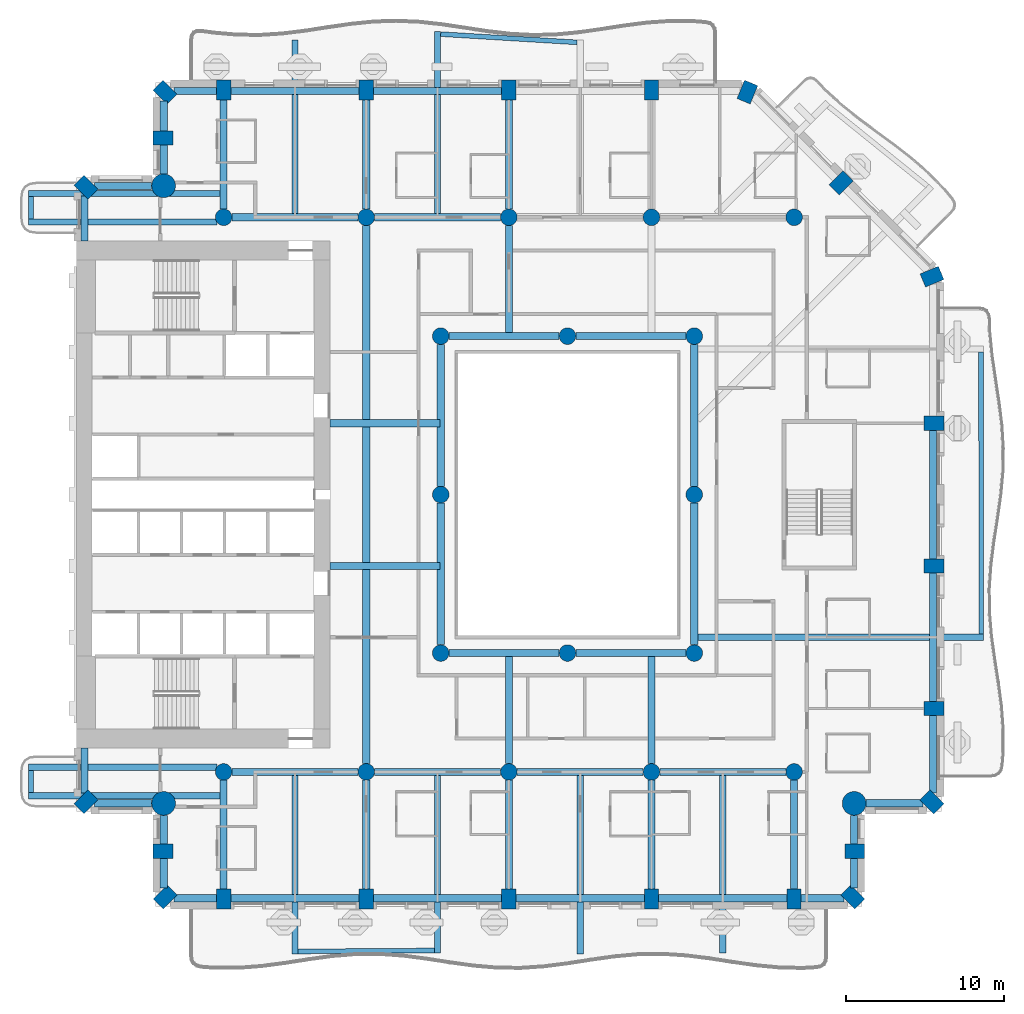
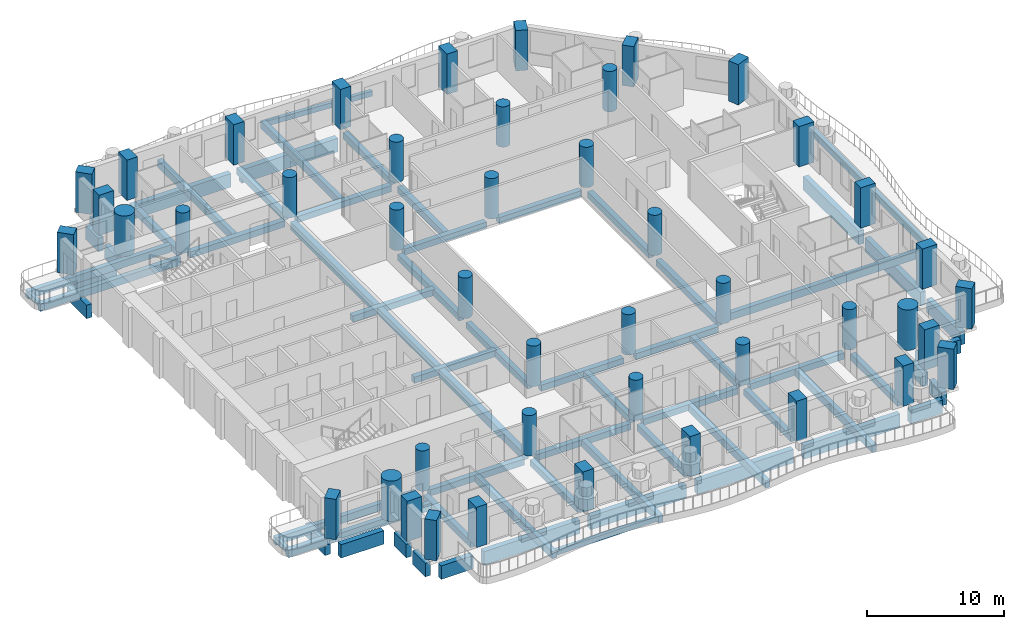
# One storey, part 1 of 20: 69 beams, 45 columns.
"""IFC4 building model written with IfcOpenShell, lengths in metres."""

from ifc_helpers import new_model, si_unit, direction, frame, origin, origin_2d, place, context, subcontext, project, spatial, rectangle, circle, extrude, material, material_profile, profile_set, type_object, element, save


model = new_model("IFC4")

# Units and contexts
model_context = context("Model", 3, precision=1e-05, world=origin(), true_north=direction((0.0, 1.0)))
body_context = subcontext(model_context, "Body", "Model", "MODEL_VIEW")
ifc_project = project(units=[si_unit("LENGTHUNIT", "METRE"), si_unit("AREAUNIT", "SQUARE_METRE"), si_unit("VOLUMEUNIT", "CUBIC_METRE"), si_unit("PLANEANGLEUNIT", "RADIAN"), si_unit("MASSUNIT", "GRAM", prefix="KILO")], contexts=[model_context])

# Site, building, storey
site_placement = place(None, origin())
site = spatial("IfcSite", under=ifc_project, at=site_placement, CompositionType="ELEMENT")
building_placement = place(site_placement, origin())
building = spatial("IfcBuilding", under=site, at=building_placement, Name="Cypress Arch Tower", CompositionType="ELEMENT")
storey_placement = place(building_placement, frame((0.0, 0.0, 116.699951171875)))
storey = spatial("IfcBuildingStorey", under=building, at=storey_placement, Name="L24", CompositionType="ELEMENT", Elevation=116.699951171875)

# Columns
ifc_material_1 = material(Name="Concrete C80/95", Category="concrete")
ifc_material_profile_1 = material_profile(ifc_material_1, rectangle(XDim=0.89990234375, YDim=1.25, at=origin_2d()), Name="RC 900x1250")
ifc_profile_set_1 = profile_set([ifc_material_profile_1], Name="Concrete C80/95")
column_type_1 = type_object("IfcColumnType", Name="Column RC 900x1250 Concrete C80/95", PredefinedType="COLUMN", material=ifc_profile_set_1)
for number, where, z_axis, x_axis, name in (
    (1, (-29.389892578125, 19.389892578125, 0.0), (0.0, 0.0, 1.0), (-0.707106781187, -0.707106781187, 0.0), "Column L24 CA00"),
    (2, (-29.389892578125, -19.389892578125, 0.0), (0.0, 0.0, 1.0), (0.707106781187, -0.707106781187, 0.0), "Column L24 CA01"),
    (3, (-24.52490234375, -22.5, 0.0), (0.0, 0.0, 1.0), (0.0, -1.0, 0.0), "Column L24 CA03"),
    (4, (-24.389892578125, -25.389892578125, 0.0), (0.0, 0.0, 1.0), (0.707106781187, -0.707106781187, 0.0), "Column L24 CA04"),
    (5, (-20.699951171875, -25.52490234375, 0.0), (0.0, 0.0, 1.0), (1.0, 0.0, 0.0), "Column L24 CA05"),
    (6, (-11.699951171875, -25.52490234375, 0.0), (0.0, 0.0, 1.0), (1.0, 0.0, 0.0), "Column L24 CA06"),
    (7, (-2.699951171875, -25.52490234375, 0.0), (0.0, 0.0, 1.0), (1.0, 0.0, 0.0), "Column L24 CA07"),
    (8, (6.300048828125, -25.52490234375, 0.0), (0.0, 0.0, 1.0), (1.0, 0.0, 0.0), "Column L24 CA08"),
    (9, (15.300048828125, -25.52490234375, 0.0), (0.0, 0.0, 1.0), (1.0, 0.0, 0.0), "Column L24 CA09"),
    (10, (18.98974609375, -25.389892578125, 0.0), (0.0, 0.0, 1.0), (0.707106781187, 0.707106781187, 0.0), "Column L24 CA10"),
    (11, (19.125, -22.5, 0.0), (0.0, 0.0, 1.0), (0.0, 1.0, 0.0), "Column L24 CA11"),
    (12, (23.98974609375, -19.389892578125, 0.0), (0.0, 0.0, 1.0), (0.707106781187, 0.707106781187, 0.0), "Column L24 CA13"),
    (13, (24.125, -13.5, 0.0), (0.0, 0.0, 1.0), (0.0, 1.0, 0.0), "Column L24 CA14"),
    (14, (24.125, -4.5, 0.0), (0.0, 0.0, 1.0), (0.0, 1.0, 0.0), "Column L24 CA15"),
    (15, (24.125, 4.5, 0.0), (0.0, 0.0, 1.0), (0.0, 1.0, 0.0), "Column L24 CA16"),
    (16, (24.00048828125, 13.751708984375, 0.0), (0.0, 0.0, 1.0), (-0.382683496864, 0.923879505795, 0.0), "Column L24 CA17"),
    (17, (18.26416015625, 19.6640625, 0.0), (0.0, 0.0, 1.0), (-0.707106781187, 0.707106781187, 0.0), "Column L24 CA18"),
    (18, (12.3515625, 25.400390625, 0.0), (0.0, 0.0, 1.0), (-0.923879505795, 0.382683496864, 0.0), "Column L24 CA19"),
    (19, (6.300048828125, 25.52490234375, 0.0), (0.0, 0.0, 1.0), (-1.0, 0.0, 0.0), "Column L24 CA20"),
    (20, (-2.699951171875, 25.52490234375, 0.0), (0.0, 0.0, 1.0), (-1.0, 0.0, 0.0), "Column L24 CA21"),
    (21, (-11.699951171875, 25.52490234375, 0.0), (0.0, 0.0, 1.0), (-1.0, 0.0, 0.0), "Column L24 CA22"),
    (22, (-20.699951171875, 25.52490234375, 0.0), (0.0, 0.0, 1.0), (-1.0, 0.0, 0.0), "Column L24 CA23"),
    (23, (-24.389892578125, 25.389892578125, 0.0), (0.0, 0.0, 1.0), (-0.707106781187, -0.707106781187, 0.0), "Column L24 CA24"),
    (24, (-24.52490234375, 22.5, 0.0), (0.0, 0.0, 1.0), (0.0, -1.0, 0.0), "Column L24 CA25"),
):
    element("IfcColumn", number, at=place(storey_placement, frame(where, z_axis=z_axis, x_axis=x_axis)), inside=storey, type_object=column_type_1, Name=name, PredefinedType="COLUMN", context=body_context, shape_type="SweptSolid", body=[
        extrude(rectangle(XDim=0.89990234375, YDim=1.25, at=origin_2d()), origin(), (0.0, 0.0, 1.0), 3.60009765625),
    ])
ifc_material_2 = material(Name="Concrete C70/85", Category="concrete")
ifc_material_profile_2 = material_profile(ifc_material_2, circle(Radius=0.52490234375, at=origin_2d()), Name="RC D1050")
ifc_profile_set_2 = profile_set([ifc_material_profile_2], Name="Concrete C70/85")
column_type_2 = type_object("IfcColumnType", Name="Column RC D1050 Concrete C70/85", PredefinedType="COLUMN", material=ifc_profile_set_2)
for number, where, z_axis, x_axis, name in (
    (25, (-20.699951171875, -17.5, 0.0), (0.0, 0.0, 1.0), (1.0, 0.0, 0.0), "Column L24 CIC-L24-CI3S"),
    (26, (-11.699951171875, -17.5, 0.0), (0.0, 0.0, 1.0), (1.0, 0.0, 0.0), "Column L24 CIC-L24-CI4S"),
    (27, (-2.699951171875, -17.5, 0.0), (0.0, 0.0, 1.0), (1.0, 0.0, 0.0), "Column L24 CIC-L24-CI5S"),
    (28, (6.300048828125, -17.5, 0.0), (0.0, 0.0, 1.0), (1.0, 0.0, 0.0), "Column L24 CIC-L24-CI6S"),
    (29, (15.300048828125, -17.5, 0.0), (0.0, 0.0, 1.0), (1.0, 0.0, 0.0), "Column L24 CIC-L24-CI7S"),
    (30, (-20.699951171875, 17.5, 0.0), (0.0, 0.0, 1.0), (1.0, 0.0, 0.0), "Column L24 CIC-L24-CI3N"),
    (31, (-11.699951171875, 17.5, 0.0), (0.0, 0.0, 1.0), (1.0, 0.0, 0.0), "Column L24 CIC-L24-CI4N"),
    (32, (-2.699951171875, 17.5, 0.0), (0.0, 0.0, 1.0), (1.0, 0.0, 0.0), "Column L24 CIC-L24-CI5N"),
    (33, (6.300048828125, 17.5, 0.0), (0.0, 0.0, 1.0), (1.0, 0.0, 0.0), "Column L24 CIC-L24-CI6N"),
    (34, (15.300048828125, 17.5, 0.0), (0.0, 0.0, 1.0), (1.0, 0.0, 0.0), "Column L24 CIC-L24-CI7N"),
    (35, (-7.0, -10.0, 0.0), (0.0, 0.0, 1.0), (1.0, 0.0, 0.0), "Column L24 RNG-L24-G-7-10"),
    (36, (-7.0, 0.0, 0.0), (0.0, 0.0, 1.0), (1.0, 0.0, 0.0), "Column L24 RNG-L24-G-7+0"),
    (37, (-7.0, 10.0, 0.0), (0.0, 0.0, 1.0), (1.0, 0.0, 0.0), "Column L24 RNG-L24-G-7+10"),
    (38, (1.0, -10.0, 0.0), (0.0, 0.0, 1.0), (1.0, 0.0, 0.0), "Column L24 RNG-L24-G+1-10"),
    (39, (1.0, 10.0, 0.0), (0.0, 0.0, 1.0), (1.0, 0.0, 0.0), "Column L24 RNG-L24-G+1+10"),
    (40, (9.0, -10.0, 0.0), (0.0, 0.0, 1.0), (1.0, 0.0, 0.0), "Column L24 RNG-L24-G+9-10"),
    (41, (9.0, 0.0, 0.0), (0.0, 0.0, 1.0), (1.0, 0.0, 0.0), "Column L24 RNG-L24-G+9+0"),
    (42, (9.0, 10.0, 0.0), (0.0, 0.0, 1.0), (1.0, 0.0, 0.0), "Column L24 RNG-L24-G+9+10"),
):
    element("IfcColumn", number, at=place(storey_placement, frame(where, z_axis=z_axis, x_axis=x_axis)), inside=storey, type_object=column_type_2, Name=name, PredefinedType="COLUMN", context=body_context, shape_type="SweptSolid", body=[
        extrude(circle(Radius=0.52490234375, at=origin_2d()), origin(), (0.0, 0.0, 1.0), 3.60009765625),
    ])
ifc_material_3 = material(Name="Concrete C80/95", Category="concrete")
ifc_material_profile_3 = material_profile(ifc_material_3, circle(Radius=0.75, at=origin_2d()), Name="RC D1500")
ifc_profile_set_3 = profile_set([ifc_material_profile_3], Name="Concrete C80/95")
column_type_3 = type_object("IfcColumnType", Name="Mega-column RC D1500 Concrete C80/95", PredefinedType="COLUMN", material=ifc_profile_set_3)
for number, where, z_axis, x_axis, name in (
    (43, (-24.48779296875, -19.48779296875, 0.0), (0.0, 0.0, 1.0), (1.0, 0.0, 0.0), "Column L24 CA02"),
    (44, (19.087890625, -19.48779296875, 0.0), (0.0, 0.0, 1.0), (1.0, 0.0, 0.0), "Column L24 CA12"),
    (45, (-24.48779296875, 19.48779296875, 0.0), (0.0, 0.0, 1.0), (1.0, 0.0, 0.0), "Column L24 CA26"),
):
    element("IfcColumn", number, at=place(storey_placement, frame(where, z_axis=z_axis, x_axis=x_axis)), inside=storey, type_object=column_type_3, Name=name, PredefinedType="COLUMN", context=body_context, shape_type="SweptSolid", body=[
        extrude(circle(Radius=0.75, at=origin_2d()), origin(), (0.0, 0.0, 1.0), 3.60009765625),
    ])

# Beams
ifc_material_4 = material(Name="Concrete C50/60", Category="concrete")
ifc_material_profile_4 = material_profile(ifc_material_4, rectangle(XDim=0.300048828125, YDim=0.449951171875, at=origin_2d()), Name="RC 300x450")
ifc_profile_set_4 = profile_set([ifc_material_profile_4], Name="Concrete C50/60")
beam_type_1 = type_object("IfcBeamType", Name="Balcony edge beam RC 300x450 Concrete C50/60", PredefinedType="BEAM", material=ifc_profile_set_4)
beam_1_placement = place(storey_placement, frame((-16.0, -28.830810546875, -0.52490234375), z_axis=(0.999974615171, 0.007125237847, 0.0), x_axis=(-0.007125237847, 0.999974615171, 0.0)))
element("IfcBeam", 46, at=beam_1_placement, inside=storey, type_object=beam_type_1, Name="Balcony edge beam L24 A03", PredefinedType="BEAM", context=body_context, shape_type="SweptSolid", body=[
    extrude(rectangle(XDim=0.300048828125, YDim=0.449951171875, at=origin_2d()), origin(), (0.0, 0.0, 1.0), 8.600341796875),
])
beam_2_placement = place(storey_placement, frame((1.60009765625, 28.536865234375, -0.52490234375), z_axis=(-0.998164917235, 0.060554091527, 0.0), x_axis=(-0.060554091527, -0.998164917235, 0.0)))
element("IfcBeam", 47, at=beam_2_placement, inside=storey, type_object=beam_type_1, Name="Balcony edge beam L24 A08", PredefinedType="BEAM", context=body_context, shape_type="SweptSolid", body=[
    extrude(rectangle(XDim=0.300048828125, YDim=0.449951171875, at=origin_2d()), origin(), (0.0, 0.0, 1.0), 8.615966796875),
])
ifc_material_5 = material(Name="Concrete C50/60", Category="concrete")
ifc_material_profile_5 = material_profile(ifc_material_5, rectangle(XDim=0.300048828125, YDim=0.64990234375, at=origin_2d()), Name="RC 300x650")
ifc_profile_set_5 = profile_set([ifc_material_profile_5], Name="Concrete C50/60")
beam_type_2 = type_object("IfcBeamType", Name="Balcony edge beam RC 300x650 Concrete C50/60", PredefinedType="BEAM", material=ifc_profile_set_5)
beam_3_placement = place(storey_placement, frame((27.11279296875, -8.800048828125, -0.625), z_axis=(-0.000864683518, 0.999999626161, 0.0), x_axis=(-0.999999626161, -0.000864683518, 0.0)))
element("IfcBeam", 48, at=beam_3_placement, inside=storey, type_object=beam_type_2, Name="Balcony edge beam L24 A06", PredefinedType="BEAM", context=body_context, shape_type="SweptSolid", body=[
    extrude(rectangle(XDim=0.300048828125, YDim=0.64990234375, at=origin_2d()), origin(), (0.0, 0.0, 1.0), 17.787841796875),
])
ifc_material_6 = material(Name="Concrete C50/60", Category="concrete")
ifc_material_profile_6 = material_profile(ifc_material_6, rectangle(XDim=0.300048828125, YDim=0.39990234375, at=origin_2d()), Name="RC 300x400")
ifc_profile_set_6 = profile_set([ifc_material_profile_6], Name="Concrete C50/60")
beam_type_3 = type_object("IfcBeamType", Name="Balcony stub beam RC 300x400 Concrete C50/60", PredefinedType="BEAM", material=ifc_profile_set_6)
for number, where, z_axis, x_axis, name in (
    (49, (-32.85009765625, 18.800048828125, -0.5), (0.0, -1.0, 0.0), (1.0, 0.0, 0.0), "Balcony stub beam L24 A00W0"),
    (50, (-32.85009765625, -17.39990234375, -0.5), (0.0, -1.0, 0.0), (1.0, 0.0, 0.0), "Balcony stub beam L24 A00W1"),
):
    element("IfcBeam", number, at=place(storey_placement, frame(where, z_axis=z_axis, x_axis=x_axis)), inside=storey, type_object=beam_type_3, Name=name, PredefinedType="BEAM", context=body_context, shape_type="SweptSolid", body=[
        extrude(rectangle(XDim=0.300048828125, YDim=0.39990234375, at=origin_2d()), origin(), (0.0, 0.0, 1.0), 1.400146484375),
    ])
ifc_material_7 = material(Name="Concrete C50/60", Category="concrete")
ifc_material_profile_7 = material_profile(ifc_material_7, rectangle(XDim=0.39990234375, YDim=0.64990234375, at=origin_2d()), Name="RC 400x650")
ifc_profile_set_7 = profile_set([ifc_material_profile_7], Name="Concrete C50/60")
beam_type_4 = type_object("IfcBeamType", Name="Cantilever beam RC 400x650 Concrete C50/60", PredefinedType="BEAM", material=ifc_profile_set_7)
beam_4_placement = place(storey_placement, frame((-20.925048828125, 19.0, -0.625), z_axis=(-1.0, 0.0, 0.0), x_axis=(0.0, -1.0, 0.0)))
element("IfcBeam", 51, at=beam_4_placement, inside=storey, type_object=beam_type_4, Name="Cantilever beam L24 A00 1", PredefinedType="BEAM", context=body_context, shape_type="SweptSolid", body=[
    extrude(rectangle(XDim=0.39990234375, YDim=0.64990234375, at=origin_2d()), origin(), (0.0, 0.0, 1.0), 12.074951171875),
])
for number, where, z_axis, x_axis, name in (
    (52, (-21.130615234375, 17.199951171875, -0.625), (-1.0, 0.0, 0.0), (0.0, -1.0, 0.0), "Cantilever beam L24 A00 2"),
    (53, (-21.130615234375, -17.199951171875, -0.625), (-1.0, 0.0, 0.0), (0.0, -1.0, 0.0), "Cantilever beam L24 A00 1"),
):
    element("IfcBeam", number, at=place(storey_placement, frame(where, z_axis=z_axis, x_axis=x_axis)), inside=storey, type_object=beam_type_4, Name=name, PredefinedType="BEAM", context=body_context, shape_type="SweptSolid", body=[
        extrude(rectangle(XDim=0.39990234375, YDim=0.64990234375, at=origin_2d()), origin(), (0.0, 0.0, 1.0), 11.869384765625),
    ])
beam_5_placement = place(storey_placement, frame((-20.925048828125, -19.0, -0.625), z_axis=(-1.0, 0.0, 0.0), x_axis=(0.0, -1.0, 0.0)))
element("IfcBeam", 54, at=beam_5_placement, inside=storey, type_object=beam_type_4, Name="Cantilever beam L24 A00 2", PredefinedType="BEAM", context=body_context, shape_type="SweptSolid", body=[
    extrude(rectangle(XDim=0.39990234375, YDim=0.64990234375, at=origin_2d()), origin(), (0.0, 0.0, 1.0), 12.074951171875),
])
beam_6_placement = place(storey_placement, frame((-16.199951171875, -17.72509765625, -0.625), z_axis=(0.0, -1.0, 0.0), x_axis=(1.0, 0.0, 0.0)))
element("IfcBeam", 55, at=beam_6_placement, inside=storey, type_object=beam_type_4, Name="Cantilever beam L24 A03 1", PredefinedType="BEAM", context=body_context, shape_type="SweptSolid", body=[
    extrude(rectangle(XDim=0.39990234375, YDim=0.64990234375, at=origin_2d()), origin(), (0.0, 0.0, 1.0), 11.255615234375),
])
beam_7_placement = place(storey_placement, frame((-7.199951171875, -17.72509765625, -0.625), z_axis=(0.0, -1.0, 0.0), x_axis=(1.0, 0.0, 0.0)))
element("IfcBeam", 56, at=beam_7_placement, inside=storey, type_object=beam_type_4, Name="Cantilever beam L24 A03 2", PredefinedType="BEAM", context=body_context, shape_type="SweptSolid", body=[
    extrude(rectangle(XDim=0.39990234375, YDim=0.64990234375, at=origin_2d()), origin(), (0.0, 0.0, 1.0), 11.1943359375),
])
beam_8_placement = place(storey_placement, frame((1.800048828125, -17.72509765625, -0.625), z_axis=(0.0, -1.0, 0.0), x_axis=(1.0, 0.0, 0.0)))
element("IfcBeam", 57, at=beam_8_placement, inside=storey, type_object=beam_type_4, Name="Cantilever beam L24 A03 3", PredefinedType="BEAM", context=body_context, shape_type="SweptSolid", body=[
    extrude(rectangle(XDim=0.39990234375, YDim=0.64990234375, at=origin_2d()), origin(), (0.0, 0.0, 1.0), 11.255126953125),
])
beam_9_placement = place(storey_placement, frame((10.800048828125, -17.72509765625, -0.625), z_axis=(0.0, -1.0, 0.0), x_axis=(1.0, 0.0, 0.0)))
element("IfcBeam", 58, at=beam_9_placement, inside=storey, type_object=beam_type_4, Name="Cantilever beam L24 A03 4", PredefinedType="BEAM", context=body_context, shape_type="SweptSolid", body=[
    extrude(rectangle(XDim=0.39990234375, YDim=0.64990234375, at=origin_2d()), origin(), (0.0, 0.0, 1.0), 11.195068359375),
])
beam_10_placement = place(storey_placement, frame((9.22509765625, -9.0, -0.625), z_axis=(1.0, 0.0, 0.0), x_axis=(0.0, 1.0, 0.0)))
element("IfcBeam", 59, at=beam_10_placement, inside=storey, type_object=beam_type_4, Name="Cantilever beam L24 A06 1", PredefinedType="BEAM", context=body_context, shape_type="SweptSolid", body=[
    extrude(rectangle(XDim=0.39990234375, YDim=0.64990234375, at=origin_2d()), origin(), (0.0, 0.0, 1.0), 18.03759765625),
])
beam_11_placement = place(storey_placement, frame((-7.199951171875, 17.72509765625, -0.625), z_axis=(0.0, 1.0, 0.0), x_axis=(-1.0, 0.0, 0.0)))
element("IfcBeam", 60, at=beam_11_placement, inside=storey, type_object=beam_type_4, Name="Cantilever beam L24 A08 2", PredefinedType="BEAM", context=body_context, shape_type="SweptSolid", body=[
    extrude(rectangle(XDim=0.39990234375, YDim=0.64990234375, at=origin_2d()), origin(), (0.0, 0.0, 1.0), 11.4833984375),
])
beam_12_placement = place(storey_placement, frame((-16.199951171875, 17.72509765625, -0.625), z_axis=(0.0, 1.0, 0.0), x_axis=(-1.0, 0.0, 0.0)))
element("IfcBeam", 61, at=beam_12_placement, inside=storey, type_object=beam_type_4, Name="Cantilever beam L24 A08 3", PredefinedType="BEAM", context=body_context, shape_type="SweptSolid", body=[
    extrude(rectangle(XDim=0.39990234375, YDim=0.64990234375, at=origin_2d()), origin(), (0.0, 0.0, 1.0), 10.96875),
])
ifc_material_8 = material(Name="Concrete C50/60", Category="concrete")
ifc_material_profile_8 = material_profile(ifc_material_8, rectangle(XDim=0.449951171875, YDim=0.550048828125, at=origin_2d()), Name="RC 450x550")
ifc_profile_set_8 = profile_set([ifc_material_profile_8], Name="Concrete C50/60")
beam_type_5 = type_object("IfcBeamType", Name="Floor beam RC 450x550 Concrete C50/60", PredefinedType="BEAM", material=ifc_profile_set_8)
for number, where, z_axis, x_axis, name in (
    (62, (-7.0, -9.47509765625, -0.574951171875), (0.0, 1.0, 0.0), (-1.0, 0.0, 0.0), "Floor beam L24 RB001"),
    (63, (-7.0, 0.52490234375, -0.574951171875), (0.0, 1.0, 0.0), (-1.0, 0.0, 0.0), "Floor beam L24 RB002"),
    (64, (9.0, -9.47509765625, -0.574951171875), (0.0, 1.0, 0.0), (-1.0, 0.0, 0.0), "Floor beam L24 RB003"),
    (65, (9.0, 0.52490234375, -0.574951171875), (0.0, 1.0, 0.0), (-1.0, 0.0, 0.0), "Floor beam L24 RB004"),
):
    element("IfcBeam", number, at=place(storey_placement, frame(where, z_axis=z_axis, x_axis=x_axis)), inside=storey, type_object=beam_type_5, Name=name, PredefinedType="BEAM", context=body_context, shape_type="SweptSolid", body=[
        extrude(rectangle(XDim=0.449951171875, YDim=0.550048828125, at=origin_2d()), origin(), (0.0, 0.0, 1.0), 8.9501953125),
    ])
for number, where, z_axis, x_axis, name in (
    (66, (-6.47509765625, -10.0, -0.574951171875), (1.0, 0.0, 0.0), (0.0, 1.0, 0.0), "Floor beam L24 RB005"),
    (67, (1.52490234375, -10.0, -0.574951171875), (1.0, 0.0, 0.0), (0.0, 1.0, 0.0), "Floor beam L24 RB006"),
    (68, (-6.47509765625, 10.0, -0.574951171875), (1.0, 0.0, 0.0), (0.0, 1.0, 0.0), "Floor beam L24 RB007"),
    (69, (1.52490234375, 10.0, -0.574951171875), (1.0, 0.0, 0.0), (0.0, 1.0, 0.0), "Floor beam L24 RB008"),
):
    element("IfcBeam", number, at=place(storey_placement, frame(where, z_axis=z_axis, x_axis=x_axis)), inside=storey, type_object=beam_type_5, Name=name, PredefinedType="BEAM", context=body_context, shape_type="SweptSolid", body=[
        extrude(rectangle(XDim=0.449951171875, YDim=0.550048828125, at=origin_2d()), origin(), (0.0, 0.0, 1.0), 6.9501953125),
    ])
for number, where, z_axis, x_axis, name in (
    (70, (-20.175048828125, -17.5, -0.574951171875), (1.0, 0.0, 0.0), (0.0, 1.0, 0.0), "Floor beam L24 FB009"),
    (71, (-11.175048828125, -17.5, -0.574951171875), (1.0, 0.0, 0.0), (0.0, 1.0, 0.0), "Floor beam L24 FB010"),
    (72, (-2.175048828125, -17.5, -0.574951171875), (1.0, 0.0, 0.0), (0.0, 1.0, 0.0), "Floor beam L24 FB011"),
    (73, (6.824951171875, -17.5, -0.574951171875), (1.0, 0.0, 0.0), (0.0, 1.0, 0.0), "Floor beam L24 FB012"),
):
    element("IfcBeam", number, at=place(storey_placement, frame(where, z_axis=z_axis, x_axis=x_axis)), inside=storey, type_object=beam_type_5, Name=name, PredefinedType="BEAM", context=body_context, shape_type="SweptSolid", body=[
        extrude(rectangle(XDim=0.449951171875, YDim=0.550048828125, at=origin_2d()), origin(), (0.0, 0.0, 1.0), 7.949951171875),
    ])
for number, where, z_axis, x_axis, name in (
    (74, (-14.0, -4.5, -0.574951171875), (1.0, 0.0, 0.0), (0.0, 1.0, 0.0), "Floor beam L24 FB013"),
    (75, (-14.0, 4.5, -0.574951171875), (1.0, 0.0, 0.0), (0.0, 1.0, 0.0), "Floor beam L24 FB014"),
):
    element("IfcBeam", number, at=place(storey_placement, frame(where, z_axis=z_axis, x_axis=x_axis)), inside=storey, type_object=beam_type_5, Name=name, PredefinedType="BEAM", context=body_context, shape_type="SweptSolid", body=[
        extrude(rectangle(XDim=0.449951171875, YDim=0.550048828125, at=origin_2d()), origin(), (0.0, 0.0, 1.0), 6.949951171875),
    ])
for number, where, z_axis, x_axis, name in (
    (76, (-20.175048828125, 17.5, -0.574951171875), (1.0, 0.0, 0.0), (0.0, 1.0, 0.0), "Floor beam L24 FB015"),
    (77, (-11.175048828125, 17.5, -0.574951171875), (1.0, 0.0, 0.0), (0.0, 1.0, 0.0), "Floor beam L24 FB016"),
):
    element("IfcBeam", number, at=place(storey_placement, frame(where, z_axis=z_axis, x_axis=x_axis)), inside=storey, type_object=beam_type_5, Name=name, PredefinedType="BEAM", context=body_context, shape_type="SweptSolid", body=[
        extrude(rectangle(XDim=0.449951171875, YDim=0.550048828125, at=origin_2d()), origin(), (0.0, 0.0, 1.0), 7.949951171875),
    ])
for number, where, z_axis, x_axis, name in (
    (78, (-20.699951171875, -24.89990234375, -0.574951171875), (0.0, 1.0, 0.0), (-1.0, 0.0, 0.0), "Floor beam L24 FB019"),
    (79, (-20.699951171875, 18.02490234375, -0.574951171875), (0.0, 1.0, 0.0), (-1.0, 0.0, 0.0), "Floor beam L24 FB020"),
    (80, (-11.699951171875, -24.89990234375, -0.574951171875), (0.0, 1.0, 0.0), (-1.0, 0.0, 0.0), "Floor beam L24 FB021"),
):
    element("IfcBeam", number, at=place(storey_placement, frame(where, z_axis=z_axis, x_axis=x_axis)), inside=storey, type_object=beam_type_5, Name=name, PredefinedType="BEAM", context=body_context, shape_type="SweptSolid", body=[
        extrude(rectangle(XDim=0.449951171875, YDim=0.550048828125, at=origin_2d()), origin(), (0.0, 0.0, 1.0), 6.875),
    ])
beam_13_placement = place(storey_placement, frame((-11.699951171875, -4.27490234375, -0.574951171875), z_axis=(0.0, 1.0, 0.0), x_axis=(-1.0, 0.0, 0.0)))
element("IfcBeam", 81, at=beam_13_placement, inside=storey, type_object=beam_type_5, Name="Floor beam L24 FB023", PredefinedType="BEAM", context=body_context, shape_type="SweptSolid", body=[
    extrude(rectangle(XDim=0.449951171875, YDim=0.550048828125, at=origin_2d()), origin(), (0.0, 0.0, 1.0), 8.5498046875),
])
for number, where, z_axis, x_axis, name in (
    (82, (-11.699951171875, 18.02490234375, -0.574951171875), (0.0, 1.0, 0.0), (-1.0, 0.0, 0.0), "Floor beam L24 FB025"),
    (83, (-2.699951171875, -24.89990234375, -0.574951171875), (0.0, 1.0, 0.0), (-1.0, 0.0, 0.0), "Floor beam L24 FB026"),
):
    element("IfcBeam", number, at=place(storey_placement, frame(where, z_axis=z_axis, x_axis=x_axis)), inside=storey, type_object=beam_type_5, Name=name, PredefinedType="BEAM", context=body_context, shape_type="SweptSolid", body=[
        extrude(rectangle(XDim=0.449951171875, YDim=0.550048828125, at=origin_2d()), origin(), (0.0, 0.0, 1.0), 6.875),
    ])
for number, where, z_axis, x_axis, name in (
    (84, (-2.699951171875, -16.97509765625, -0.574951171875), (0.0, 1.0, 0.0), (-1.0, 0.0, 0.0), "Floor beam L24 FB027"),
    (85, (-2.699951171875, 10.22509765625, -0.574951171875), (0.0, 1.0, 0.0), (-1.0, 0.0, 0.0), "Floor beam L24 FB028"),
):
    element("IfcBeam", number, at=place(storey_placement, frame(where, z_axis=z_axis, x_axis=x_axis)), inside=storey, type_object=beam_type_5, Name=name, PredefinedType="BEAM", context=body_context, shape_type="SweptSolid", body=[
        extrude(rectangle(XDim=0.449951171875, YDim=0.550048828125, at=origin_2d()), origin(), (0.0, 0.0, 1.0), 6.75),
    ])
for number, where, z_axis, x_axis, name in (
    (86, (-2.699951171875, 18.02490234375, -0.574951171875), (0.0, 1.0, 0.0), (-1.0, 0.0, 0.0), "Floor beam L24 FB029"),
    (87, (6.300048828125, -24.89990234375, -0.574951171875), (0.0, 1.0, 0.0), (-1.0, 0.0, 0.0), "Floor beam L24 FB030"),
):
    element("IfcBeam", number, at=place(storey_placement, frame(where, z_axis=z_axis, x_axis=x_axis)), inside=storey, type_object=beam_type_5, Name=name, PredefinedType="BEAM", context=body_context, shape_type="SweptSolid", body=[
        extrude(rectangle(XDim=0.449951171875, YDim=0.550048828125, at=origin_2d()), origin(), (0.0, 0.0, 1.0), 6.875),
    ])
beam_14_placement = place(storey_placement, frame((6.300048828125, -16.97509765625, -0.574951171875), z_axis=(0.0, 1.0, 0.0), x_axis=(-1.0, 0.0, 0.0)))
element("IfcBeam", 88, at=beam_14_placement, inside=storey, type_object=beam_type_5, Name="Floor beam L24 FB031", PredefinedType="BEAM", context=body_context, shape_type="SweptSolid", body=[
    extrude(rectangle(XDim=0.449951171875, YDim=0.550048828125, at=origin_2d()), origin(), (0.0, 0.0, 1.0), 6.75),
])
beam_15_placement = place(storey_placement, frame((15.300048828125, -24.89990234375, -0.574951171875), z_axis=(0.0, 1.0, 0.0), x_axis=(-1.0, 0.0, 0.0)))
element("IfcBeam", 89, at=beam_15_placement, inside=storey, type_object=beam_type_5, Name="Floor beam L24 FB034", PredefinedType="BEAM", context=body_context, shape_type="SweptSolid", body=[
    extrude(rectangle(XDim=0.449951171875, YDim=0.550048828125, at=origin_2d()), origin(), (0.0, 0.0, 1.0), 6.875),
])
ifc_material_9 = material(Name="Concrete C50/60", Category="concrete")
ifc_material_profile_9 = material_profile(ifc_material_9, rectangle(XDim=0.5, YDim=0.699951171875, at=origin_2d()), Name="RC 500x700")
ifc_profile_set_9 = profile_set([ifc_material_profile_9], Name="Concrete C50/60")
beam_type_6 = type_object("IfcBeamType", Name="Floor beam RC 500x700 Concrete C50/60", PredefinedType="BEAM", material=ifc_profile_set_9)
for number, where, z_axis, x_axis, name in (
    (90, (-11.699951171875, -16.97509765625, -0.64990234375), (0.0, 1.0, 0.0), (-1.0, 0.0, 0.0), "Floor beam L24 FB022"),
    (91, (-11.699951171875, 4.72509765625, -0.64990234375), (0.0, 1.0, 0.0), (-1.0, 0.0, 0.0), "Floor beam L24 FB024"),
):
    element("IfcBeam", number, at=place(storey_placement, frame(where, z_axis=z_axis, x_axis=x_axis)), inside=storey, type_object=beam_type_6, Name=name, PredefinedType="BEAM", context=body_context, shape_type="SweptSolid", body=[
        extrude(rectangle(XDim=0.5, YDim=0.699951171875, at=origin_2d()), origin(), (0.0, 0.0, 1.0), 12.25),
    ])
ifc_material_10 = material(Name="Concrete C50/60", Category="concrete")
ifc_material_profile_10 = material_profile(ifc_material_10, rectangle(XDim=0.449951171875, YDim=1.199951171875, at=origin_2d()), Name="RC 450x1200")
ifc_profile_set_10 = profile_set([ifc_material_profile_10], Name="Concrete C50/60")
beam_type_7 = type_object("IfcBeamType", Name="Spandrel beam RC 450x1200 Concrete C50/60", PredefinedType="SPANDREL", material=ifc_profile_set_10)
for number, where, z_axis, x_axis, name in (
    (92, (-29.47509765625, 18.838623046875, -1.550048828125), (0.0, -1.0, 0.0), (1.0, 0.0, 0.0), "Spandrel beam L24 BA00-0"),
    (93, (-29.47509765625, -16.0, -1.550048828125), (0.0, -1.0, 0.0), (1.0, 0.0, 0.0), "Spandrel beam L24 BA00-0"),
):
    element("IfcBeam", number, at=place(storey_placement, frame(where, z_axis=z_axis, x_axis=x_axis)), inside=storey, type_object=beam_type_7, Name=name, PredefinedType="SPANDREL", context=body_context, shape_type="SweptSolid", body=[
        extrude(rectangle(XDim=0.449951171875, YDim=1.199951171875, at=origin_2d()), origin(), (0.0, 0.0, 1.0), 2.838623046875),
    ])
beam_16_placement = place(storey_placement, frame((-28.838623046875, -19.47509765625, -1.550048828125), z_axis=(1.0, 0.0, 0.0), x_axis=(0.0, 1.0, 0.0)))
element("IfcBeam", 94, at=beam_16_placement, inside=storey, type_object=beam_type_7, Name="Spandrel beam L24 BA01-0", PredefinedType="SPANDREL", context=body_context, shape_type="SweptSolid", body=[
    extrude(rectangle(XDim=0.449951171875, YDim=1.199951171875, at=origin_2d()), origin(), (0.0, 0.0, 1.0), 3.60107421875),
])
beam_17_placement = place(storey_placement, frame((-24.47509765625, -20.237548828125, -1.550048828125), z_axis=(0.0, -1.0, 0.0), x_axis=(1.0, 0.0, 0.0)))
element("IfcBeam", 95, at=beam_17_placement, inside=storey, type_object=beam_type_7, Name="Spandrel beam L24 BA02-0", PredefinedType="SPANDREL", context=body_context, shape_type="SweptSolid", body=[
    extrude(rectangle(XDim=0.449951171875, YDim=1.199951171875, at=origin_2d()), origin(), (0.0, 0.0, 1.0), 1.8125),
])
beam_18_placement = place(storey_placement, frame((-24.47509765625, -22.949951171875, -1.550048828125), z_axis=(0.0, -1.0, 0.0), x_axis=(1.0, 0.0, 0.0)))
element("IfcBeam", 96, at=beam_18_placement, inside=storey, type_object=beam_type_7, Name="Spandrel beam L24 BA02-1", PredefinedType="SPANDREL", context=body_context, shape_type="SweptSolid", body=[
    extrude(rectangle(XDim=0.449951171875, YDim=1.199951171875, at=origin_2d()), origin(), (0.0, 0.0, 1.0), 1.888671875),
])
beam_19_placement = place(storey_placement, frame((-23.838623046875, -25.47509765625, -1.550048828125), z_axis=(1.0, 0.0, 0.0), x_axis=(0.0, 1.0, 0.0)))
element("IfcBeam", 97, at=beam_19_placement, inside=storey, type_object=beam_type_7, Name="Spandrel beam L24 BA03-0", PredefinedType="SPANDREL", context=body_context, shape_type="SweptSolid", body=[
    extrude(rectangle(XDim=0.449951171875, YDim=1.199951171875, at=origin_2d()), origin(), (0.0, 0.0, 1.0), 2.688720703125),
])
for number, where, z_axis, x_axis, name in (
    (98, (-20.25, -25.47509765625, -1.550048828125), (1.0, 0.0, 0.0), (0.0, 1.0, 0.0), "Spandrel beam L24 BA03-1"),
    (99, (-11.25, -25.47509765625, -1.550048828125), (1.0, 0.0, 0.0), (0.0, 1.0, 0.0), "Spandrel beam L24 BA03-2"),
    (100, (-2.25, -25.47509765625, -1.550048828125), (1.0, 0.0, 0.0), (0.0, 1.0, 0.0), "Spandrel beam L24 BA03-3"),
    (101, (6.75, -25.47509765625, -1.550048828125), (1.0, 0.0, 0.0), (0.0, 1.0, 0.0), "Spandrel beam L24 BA03-4"),
):
    element("IfcBeam", number, at=place(storey_placement, frame(where, z_axis=z_axis, x_axis=x_axis)), inside=storey, type_object=beam_type_7, Name=name, PredefinedType="SPANDREL", context=body_context, shape_type="SweptSolid", body=[
        extrude(rectangle(XDim=0.449951171875, YDim=1.199951171875, at=origin_2d()), origin(), (0.0, 0.0, 1.0), 8.10009765625),
    ])
beam_20_placement = place(storey_placement, frame((15.75, -25.47509765625, -1.550048828125), z_axis=(1.0, 0.0, 0.0), x_axis=(0.0, 1.0, 0.0)))
element("IfcBeam", 102, at=beam_20_placement, inside=storey, type_object=beam_type_7, Name="Spandrel beam L24 BA03-5", PredefinedType="SPANDREL", context=body_context, shape_type="SweptSolid", body=[
    extrude(rectangle(XDim=0.449951171875, YDim=1.199951171875, at=origin_2d()), origin(), (0.0, 0.0, 1.0), 2.688720703125),
])
beam_21_placement = place(storey_placement, frame((19.074951171875, -24.838623046875, -1.550048828125), z_axis=(0.0, 1.0, 0.0), x_axis=(-1.0, 0.0, 0.0)))
element("IfcBeam", 103, at=beam_21_placement, inside=storey, type_object=beam_type_7, Name="Spandrel beam L24 BA04-0", PredefinedType="SPANDREL", context=body_context, shape_type="SweptSolid", body=[
    extrude(rectangle(XDim=0.449951171875, YDim=1.199951171875, at=origin_2d()), origin(), (0.0, 0.0, 1.0), 1.888671875),
])
beam_22_placement = place(storey_placement, frame((19.074951171875, -22.050048828125, -1.550048828125), z_axis=(0.0, 1.0, 0.0), x_axis=(-1.0, 0.0, 0.0)))
element("IfcBeam", 104, at=beam_22_placement, inside=storey, type_object=beam_type_7, Name="Spandrel beam L24 BA04-1", PredefinedType="SPANDREL", context=body_context, shape_type="SweptSolid", body=[
    extrude(rectangle(XDim=0.449951171875, YDim=1.199951171875, at=origin_2d()), origin(), (0.0, 0.0, 1.0), 1.8125),
])
beam_23_placement = place(storey_placement, frame((19.837646484375, -19.47509765625, -1.550048828125), z_axis=(1.0, 0.0, 0.0), x_axis=(0.0, 1.0, 0.0)))
element("IfcBeam", 105, at=beam_23_placement, inside=storey, type_object=beam_type_7, Name="Spandrel beam L24 BA05-0", PredefinedType="SPANDREL", context=body_context, shape_type="SweptSolid", body=[
    extrude(rectangle(XDim=0.449951171875, YDim=1.199951171875, at=origin_2d()), origin(), (0.0, 0.0, 1.0), 3.60107421875),
])
beam_24_placement = place(storey_placement, frame((24.074951171875, -18.838623046875, -1.550048828125), z_axis=(0.0, 1.0, 0.0), x_axis=(-1.0, 0.0, 0.0)))
element("IfcBeam", 106, at=beam_24_placement, inside=storey, type_object=beam_type_7, Name="Spandrel beam L24 BA06-0", PredefinedType="SPANDREL", context=body_context, shape_type="SweptSolid", body=[
    extrude(rectangle(XDim=0.449951171875, YDim=1.199951171875, at=origin_2d()), origin(), (0.0, 0.0, 1.0), 4.888671875),
])
for number, where, z_axis, x_axis, name in (
    (107, (24.074951171875, -13.050048828125, -1.550048828125), (0.0, 1.0, 0.0), (-1.0, 0.0, 0.0), "Spandrel beam L24 BA06-1"),
    (108, (24.074951171875, -4.050048828125, -1.550048828125), (0.0, 1.0, 0.0), (-1.0, 0.0, 0.0), "Spandrel beam L24 BA06-2"),
    (109, (-3.14990234375, 25.47509765625, -1.550048828125), (-1.0, 0.0, 0.0), (0.0, -1.0, 0.0), "Spandrel beam L24 BA08-2"),
    (110, (-12.14990234375, 25.47509765625, -1.550048828125), (-1.0, 0.0, 0.0), (0.0, -1.0, 0.0), "Spandrel beam L24 BA08-3"),
):
    element("IfcBeam", number, at=place(storey_placement, frame(where, z_axis=z_axis, x_axis=x_axis)), inside=storey, type_object=beam_type_7, Name=name, PredefinedType="SPANDREL", context=body_context, shape_type="SweptSolid", body=[
        extrude(rectangle(XDim=0.449951171875, YDim=1.199951171875, at=origin_2d()), origin(), (0.0, 0.0, 1.0), 8.10009765625),
    ])
beam_25_placement = place(storey_placement, frame((-21.14990234375, 25.47509765625, -1.550048828125), z_axis=(-1.0, 0.0, 0.0), x_axis=(0.0, -1.0, 0.0)))
element("IfcBeam", 111, at=beam_25_placement, inside=storey, type_object=beam_type_7, Name="Spandrel beam L24 BA08-4", PredefinedType="SPANDREL", context=body_context, shape_type="SweptSolid", body=[
    extrude(rectangle(XDim=0.449951171875, YDim=1.199951171875, at=origin_2d()), origin(), (0.0, 0.0, 1.0), 2.688720703125),
])
beam_26_placement = place(storey_placement, frame((-24.47509765625, 24.838623046875, -1.550048828125), z_axis=(0.0, -1.0, 0.0), x_axis=(1.0, 0.0, 0.0)))
element("IfcBeam", 112, at=beam_26_placement, inside=storey, type_object=beam_type_7, Name="Spandrel beam L24 BA09-0", PredefinedType="SPANDREL", context=body_context, shape_type="SweptSolid", body=[
    extrude(rectangle(XDim=0.449951171875, YDim=1.199951171875, at=origin_2d()), origin(), (0.0, 0.0, 1.0), 1.888671875),
])
beam_27_placement = place(storey_placement, frame((-24.47509765625, 22.050048828125, -1.550048828125), z_axis=(0.0, -1.0, 0.0), x_axis=(1.0, 0.0, 0.0)))
element("IfcBeam", 113, at=beam_27_placement, inside=storey, type_object=beam_type_7, Name="Spandrel beam L24 BA09-1", PredefinedType="SPANDREL", context=body_context, shape_type="SweptSolid", body=[
    extrude(rectangle(XDim=0.449951171875, YDim=1.199951171875, at=origin_2d()), origin(), (0.0, 0.0, 1.0), 1.8125),
])
beam_28_placement = place(storey_placement, frame((-25.237548828125, 19.47509765625, -1.550048828125), z_axis=(-1.0, 0.0, 0.0), x_axis=(0.0, -1.0, 0.0)))
element("IfcBeam", 114, at=beam_28_placement, inside=storey, type_object=beam_type_7, Name="Spandrel beam L24 BA10-0", PredefinedType="SPANDREL", context=body_context, shape_type="SweptSolid", body=[
    extrude(rectangle(XDim=0.449951171875, YDim=1.199951171875, at=origin_2d()), origin(), (0.0, 0.0, 1.0), 3.60107421875),
])

save(model, "model.ifc")
